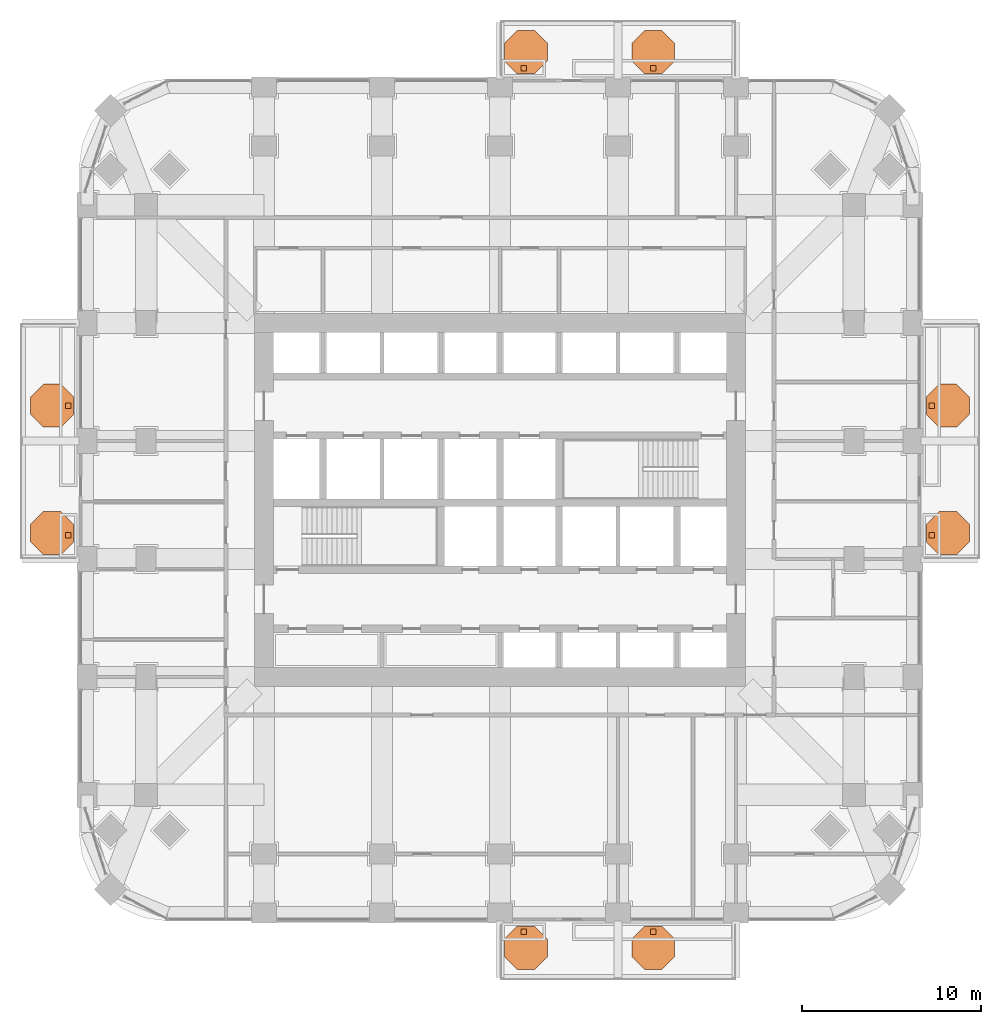
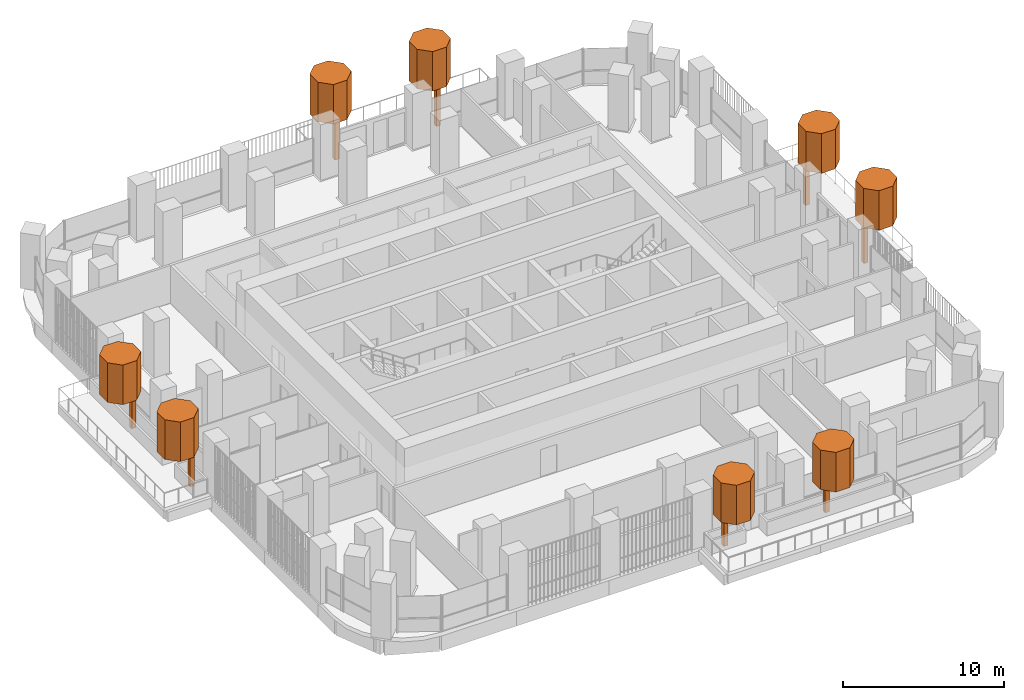
# One storey, part 22 of 22: 16 geographic elements.
"""IFC4 building model written with IfcOpenShell, lengths in metres."""

from ifc_helpers import new_model, si_unit, direction, frame, origin, origin_2d, place, context, subcontext, project, spatial, polyline, rectangle, outline, extrude, material, type_object, element, save


model = new_model("IFC4")

# Units and contexts
model_context = context("Model", 3, precision=1e-05, world=origin(), true_north=direction((0.0, 1.0)))
body_context = subcontext(model_context, "Body", "Model", "MODEL_VIEW")
ifc_project = project(units=[si_unit("LENGTHUNIT", "METRE"), si_unit("AREAUNIT", "SQUARE_METRE"), si_unit("VOLUMEUNIT", "CUBIC_METRE"), si_unit("PLANEANGLEUNIT", "RADIAN"), si_unit("MASSUNIT", "GRAM", prefix="KILO")], contexts=[model_context])

# Site, building, storey
site_placement = place(None, origin())
site = spatial("IfcSite", under=ifc_project, at=site_placement, CompositionType="ELEMENT")
building_placement = place(site_placement, origin())
building = spatial("IfcBuilding", under=site, at=building_placement, Name="Cobogo Forest Laboratory Tower", CompositionType="ELEMENT")
storey_placement = place(building_placement, frame((0.0, 0.0, 120.0)))
storey = spatial("IfcBuildingStorey", under=building, at=storey_placement, Name="L27", CompositionType="ELEMENT", Elevation=120.0)

# Geographic elements
ifc_material = material(Name="Planting", Category="plant")
geographic_element_type_1 = type_object("IfcGeographicElementType", Name="Tree trunk 300", PredefinedType="USERDEFINED", material=ifc_material)
for number, where, z_axis, x_axis, name in (
    (1, (27.72509765625, -1.050048828125, 0.0), (0.0, 0.0, 1.0), (1.0, 0.0, 0.0), "Tree trunk BAL-S1-PL1 L27"),
    (2, (34.97509765625, -1.050048828125, 0.0), (0.0, 0.0, 1.0), (1.0, 0.0, 0.0), "Tree trunk BAL-S1-PL2 L27"),
    (3, (50.550048828125, 21.125, 0.0), (0.0, 0.0, 1.0), (1.0, 0.0, 0.0), "Tree trunk BAL-E1-PL1 L27"),
    (4, (50.550048828125, 28.375, 0.0), (0.0, 0.0, 1.0), (1.0, 0.0, 0.0), "Tree trunk BAL-E1-PL2 L27"),
    (5, (27.72509765625, 47.25, 0.0), (0.0, 0.0, 1.0), (1.0, 0.0, 0.0), "Tree trunk BAL-N1-PL1 L27"),
    (6, (34.97509765625, 47.25, 0.0), (0.0, 0.0, 1.0), (1.0, 0.0, 0.0), "Tree trunk BAL-N1-PL2 L27"),
    (7, (2.25, 21.125, 0.0), (0.0, 0.0, 1.0), (1.0, 0.0, 0.0), "Tree trunk BAL-W1-PL1 L27"),
    (8, (2.25, 28.375, 0.0), (0.0, 0.0, 1.0), (1.0, 0.0, 0.0), "Tree trunk BAL-W1-PL2 L27"),
):
    element("IfcGeographicElement", number, at=place(storey_placement, frame(where, z_axis=z_axis, x_axis=x_axis)), inside=storey, type_object=geographic_element_type_1, Name=name, ObjectType="TREE TRUNK", PredefinedType="USERDEFINED", context=body_context, shape_type="SweptSolid", body=[
        extrude(rectangle(XDim=0.300048828125, YDim=0.300048828125, at=origin_2d()), origin(), (0.0, 0.0, 1.0), 2.89990234375),
    ])
geographic_element_type_2 = type_object("IfcGeographicElementType", Name="Tree, holm oak 5 m", PredefinedType="USERDEFINED", material=ifc_material)
geographic_element_1_placement = place(storey_placement, frame((0.0, 0.0, 2.89990234375)))
element("IfcGeographicElement", 9, at=geographic_element_1_placement, inside=storey, type_object=geographic_element_type_2, Name="Holm tree BAL-S1-PL1 L27", ObjectType="TREE", PredefinedType="USERDEFINED", context=body_context, shape_type="SweptSolid", body=[
    extrude(outline(polyline([(29.050048828125, -2.447021484375), (29.050048828125, -1.452880859375), (28.34716796875, -0.75), (27.35302734375, -0.75), (26.64990234375, -1.452880859375), (26.64990234375, -2.447021484375), (27.35302734375, -3.14990234375), (28.34716796875, -3.14990234375), (29.050048828125, -2.447021484375)])), origin(), (0.0, 0.0, 1.0), 3.0),
])
geographic_element_2_placement = place(storey_placement, frame((0.0, 0.0, 2.89990234375)))
element("IfcGeographicElement", 10, at=geographic_element_2_placement, inside=storey, type_object=geographic_element_type_2, Name="Holm tree BAL-S1-PL2 L27", ObjectType="TREE", PredefinedType="USERDEFINED", context=body_context, shape_type="SweptSolid", body=[
    extrude(outline(polyline([(36.175048828125, -2.447021484375), (36.175048828125, -1.452880859375), (35.47216796875, -0.75), (34.47802734375, -0.75), (33.77490234375, -1.452880859375), (33.77490234375, -2.447021484375), (34.47802734375, -3.14990234375), (35.47216796875, -3.14990234375), (36.175048828125, -2.447021484375)])), origin(), (0.0, 0.0, 1.0), 3.0),
])
geographic_element_3_placement = place(storey_placement, frame((0.0, 0.0, 2.89990234375)))
element("IfcGeographicElement", 11, at=geographic_element_3_placement, inside=storey, type_object=geographic_element_type_2, Name="Holm tree BAL-E1-PL1 L27", ObjectType="TREE", PredefinedType="USERDEFINED", context=body_context, shape_type="SweptSolid", body=[
    extrude(outline(polyline([(52.64990234375, 20.7529296875), (52.64990234375, 21.7470703125), (51.947021484375, 22.449951171875), (50.952880859375, 22.449951171875), (50.25, 21.7470703125), (50.25, 20.7529296875), (50.952880859375, 20.050048828125), (51.947021484375, 20.050048828125), (52.64990234375, 20.7529296875)])), origin(), (0.0, 0.0, 1.0), 3.0),
])
geographic_element_4_placement = place(storey_placement, frame((0.0, 0.0, 2.89990234375)))
element("IfcGeographicElement", 12, at=geographic_element_4_placement, inside=storey, type_object=geographic_element_type_2, Name="Holm tree BAL-E1-PL2 L27", ObjectType="TREE", PredefinedType="USERDEFINED", context=body_context, shape_type="SweptSolid", body=[
    extrude(outline(polyline([(52.64990234375, 27.8779296875), (52.64990234375, 28.8720703125), (51.947021484375, 29.574951171875), (50.952880859375, 29.574951171875), (50.25, 28.8720703125), (50.25, 27.8779296875), (50.952880859375, 27.175048828125), (51.947021484375, 27.175048828125), (52.64990234375, 27.8779296875)])), origin(), (0.0, 0.0, 1.0), 3.0),
])
geographic_element_5_placement = place(storey_placement, frame((0.0, 0.0, 2.89990234375)))
element("IfcGeographicElement", 13, at=geographic_element_5_placement, inside=storey, type_object=geographic_element_type_2, Name="Holm tree BAL-N1-PL1 L27", ObjectType="TREE", PredefinedType="USERDEFINED", context=body_context, shape_type="SweptSolid", body=[
    extrude(outline(polyline([(29.050048828125, 47.65283203125), (29.050048828125, 48.64697265625), (28.34716796875, 49.35009765625), (27.35302734375, 49.35009765625), (26.64990234375, 48.64697265625), (26.64990234375, 47.65283203125), (27.35302734375, 46.949951171875), (28.34716796875, 46.949951171875), (29.050048828125, 47.65283203125)])), origin(), (0.0, 0.0, 1.0), 3.0),
])
geographic_element_6_placement = place(storey_placement, frame((0.0, 0.0, 2.89990234375)))
element("IfcGeographicElement", 14, at=geographic_element_6_placement, inside=storey, type_object=geographic_element_type_2, Name="Holm tree BAL-N1-PL2 L27", ObjectType="TREE", PredefinedType="USERDEFINED", context=body_context, shape_type="SweptSolid", body=[
    extrude(outline(polyline([(36.175048828125, 47.65283203125), (36.175048828125, 48.64697265625), (35.47216796875, 49.35009765625), (34.47802734375, 49.35009765625), (33.77490234375, 48.64697265625), (33.77490234375, 47.65283203125), (34.47802734375, 46.949951171875), (35.47216796875, 46.949951171875), (36.175048828125, 47.65283203125)])), origin(), (0.0, 0.0, 1.0), 3.0),
])
geographic_element_7_placement = place(storey_placement, frame((0.0, 0.0, 2.89990234375)))
element("IfcGeographicElement", 15, at=geographic_element_7_placement, inside=storey, type_object=geographic_element_type_2, Name="Holm tree BAL-W1-PL1 L27", ObjectType="TREE", PredefinedType="USERDEFINED", context=body_context, shape_type="SweptSolid", body=[
    extrude(outline(polyline([(2.550048828125, 20.7529296875), (2.550048828125, 21.7470703125), (1.84716796875, 22.449951171875), (0.85302734375, 22.449951171875), (0.14990234375, 21.7470703125), (0.14990234375, 20.7529296875), (0.85302734375, 20.050048828125), (1.84716796875, 20.050048828125), (2.550048828125, 20.7529296875)])), origin(), (0.0, 0.0, 1.0), 3.0),
])
geographic_element_8_placement = place(storey_placement, frame((0.0, 0.0, 2.89990234375)))
element("IfcGeographicElement", 16, at=geographic_element_8_placement, inside=storey, type_object=geographic_element_type_2, Name="Holm tree BAL-W1-PL2 L27", ObjectType="TREE", PredefinedType="USERDEFINED", context=body_context, shape_type="SweptSolid", body=[
    extrude(outline(polyline([(2.550048828125, 27.8779296875), (2.550048828125, 28.8720703125), (1.84716796875, 29.574951171875), (0.85302734375, 29.574951171875), (0.14990234375, 28.8720703125), (0.14990234375, 27.8779296875), (0.85302734375, 27.175048828125), (1.84716796875, 27.175048828125), (2.550048828125, 27.8779296875)])), origin(), (0.0, 0.0, 1.0), 3.0),
])

save(model, "model.ifc")
